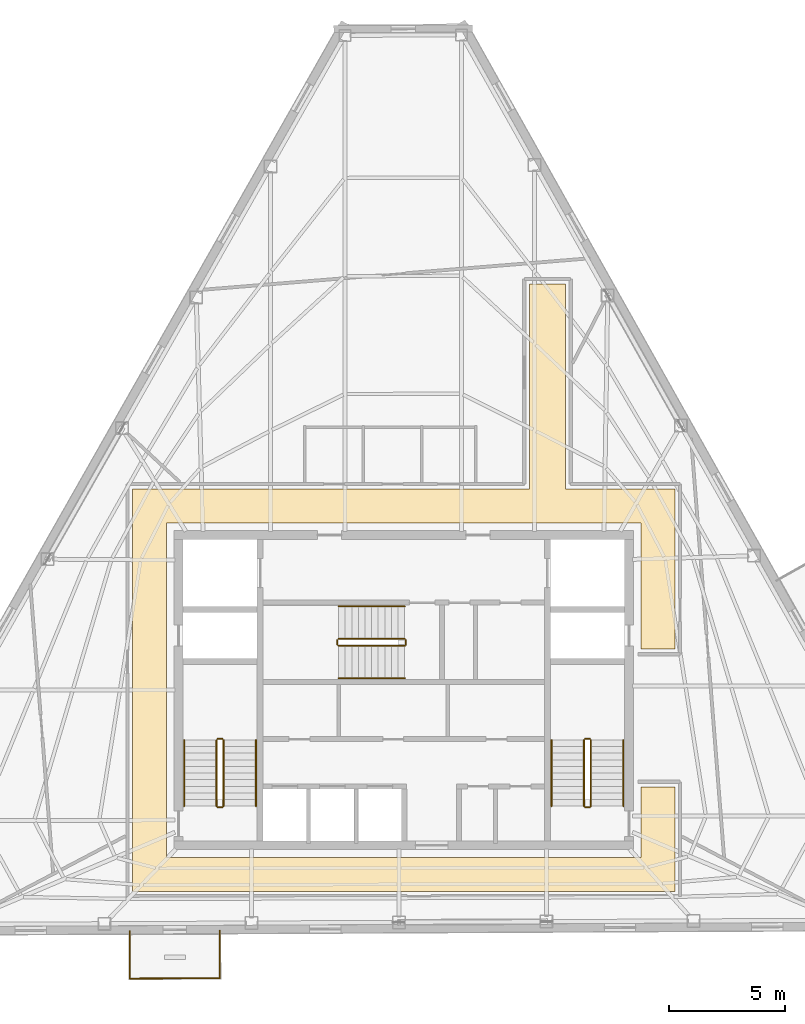
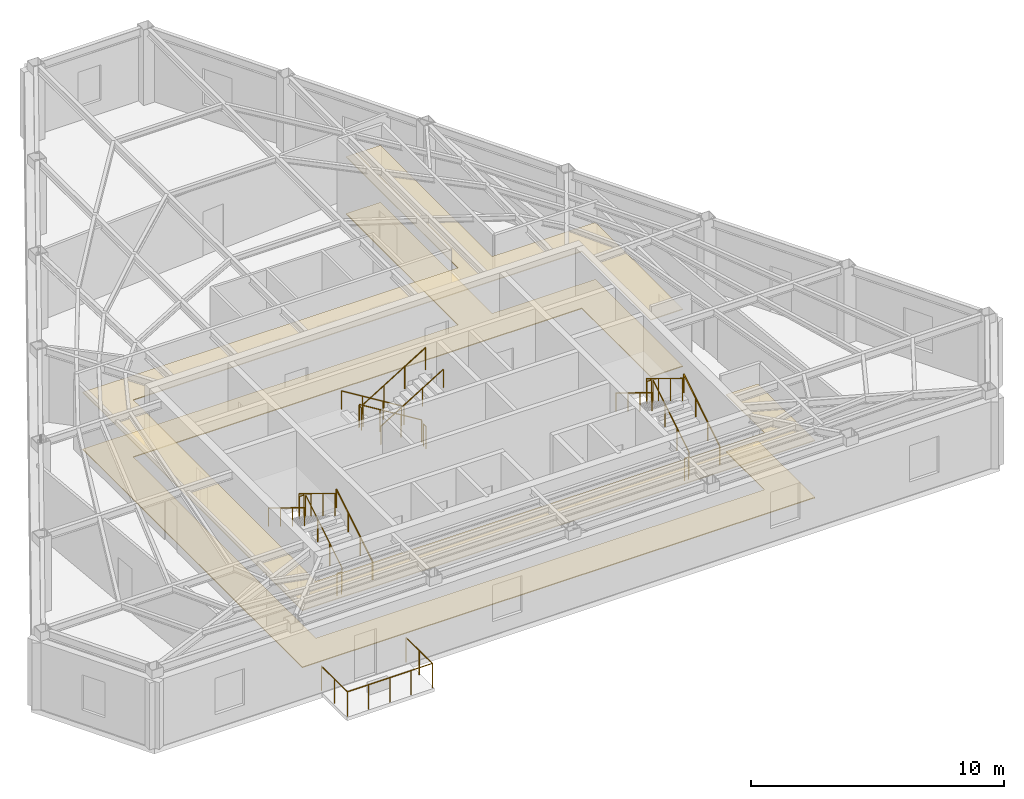
# One storey, part 8 of 9: 21 railings, 2 coverings.
"""IFC4 building model written with IfcOpenShell, lengths in metres."""

from ifc_helpers import new_model, si_unit, direction, frame, origin, origin_2d, place, context, subcontext, project, spatial, polyline, circle, outline, extrude, material, layer, layer_set, type_object, element, save


model = new_model("IFC4")

# Units and contexts
model_context = context("Model", 3, precision=1e-05, world=origin(), true_north=direction((0.0, 1.0)))
body_context = subcontext(model_context, "Body", "Model", "MODEL_VIEW")
ifc_project = project(units=[si_unit("LENGTHUNIT", "METRE"), si_unit("AREAUNIT", "SQUARE_METRE"), si_unit("VOLUMEUNIT", "CUBIC_METRE"), si_unit("PLANEANGLEUNIT", "RADIAN"), si_unit("MASSUNIT", "GRAM", prefix="KILO")], contexts=[model_context])

# Site, building, storey
site_placement = place(None, origin())
site = spatial("IfcSite", under=ifc_project, at=site_placement, CompositionType="ELEMENT")
building_placement = place(site_placement, origin())
building = spatial("IfcBuilding", under=site, at=building_placement, Name="Kavelnor Concourse Tower", CompositionType="ELEMENT")
storey_placement = place(building_placement, frame((0.0, 0.0, 301.10009765625)))
storey = spatial("IfcBuildingStorey", under=building, at=storey_placement, Name="L76", CompositionType="ELEMENT", Elevation=301.10009765625)

# Coverings
ifc_material_1 = material(Name="Mineral fibre acoustic ceiling tile")
ifc_layer_1 = layer(ifc_material_1, 0.0400390625, Name="Mineral fibre acoustic ceiling tile")
ifc_layer_set_1 = layer_set([ifc_layer_1], Name="Mineral fibre acoustic ceiling tile")
covering_type_1 = type_object("IfcCoveringType", Name="COV-CEILING-ACOUSTIC", PredefinedType="CEILING", material=ifc_layer_set_1)
covering_1_placement = place(storey_placement, frame((0.0, 0.0, 2.75)))
element("IfcCovering", 1, at=covering_1_placement, inside=storey, type_object=covering_type_1, Name="L76 Suspended Acoustic Ceiling", PredefinedType="CEILING", context=body_context, shape_type="SweptSolid", body=[
    extrude(outline(polyline([(44.97998046875, 24.77001953125), (49.68994140625, 24.77001953125), (49.68994140625, 17.8701171875), (48.22998046875, 17.8701171875), (48.22998046875, 23.31005859375), (27.77001953125, 23.31005859375), (27.77001953125, 8.889892578125), (48.22998046875, 8.889892578125), (48.22998046875, 11.929931640625), (49.68994140625, 11.929931640625), (49.68994140625, 7.429931640625), (26.31005859375, 7.429931640625), (26.31005859375, 24.77001953125), (43.419921875, 24.77001953125), (43.419921875, 33.6064453125), (44.97998046875, 33.6064453125), (44.97998046875, 24.77001953125)])), origin(), (0.0, 0.0, 1.0), 0.039794921875),
])
ifc_material_2 = material(Name="Honed bluestone and raised access floor finish", Category="masonry")
ifc_layer_2 = layer(ifc_material_2, 0.0400390625, Name="Honed bluestone and raised access floor finish")
ifc_layer_set_2 = layer_set([ifc_layer_2], Name="Honed bluestone and raised access floor finish")
covering_type_2 = type_object("IfcCoveringType", Name="COV-FLOOR-STONE", PredefinedType="FLOORING", material=ifc_layer_set_2)
covering_2_placement = place(storey_placement, frame((0.0, 0.0, 0.001953125)))
element("IfcCovering", 2, at=covering_2_placement, inside=storey, type_object=covering_type_2, Name="L76 Honed Bluestone Floor Finish", PredefinedType="FLOORING", context=body_context, shape_type="SweptSolid", body=[
    extrude(outline(polyline([(44.97998046875, 24.77001953125), (49.68994140625, 24.77001953125), (49.68994140625, 17.8701171875), (48.22998046875, 17.8701171875), (48.22998046875, 23.31005859375), (27.77001953125, 23.31005859375), (27.77001953125, 8.889892578125), (48.22998046875, 8.889892578125), (48.22998046875, 11.929931640625), (49.68994140625, 11.929931640625), (49.68994140625, 7.429931640625), (26.31005859375, 7.429931640625), (26.31005859375, 24.77001953125), (43.419921875, 24.77001953125), (43.419921875, 33.6064453125), (44.97998046875, 33.6064453125), (44.97998046875, 24.77001953125)])), origin(), (0.0, 0.0, 1.0), 0.0400390625),
])

# Railings
ifc_material_3 = material(Name="Steel Grade 350", Category="steel")
railing_type_1 = type_object("IfcRailingType", Name="RLG-GUARD-1100", PredefinedType="GUARDRAIL", material=ifc_material_3)
railing_1_placement = place(storey_placement, frame((30.22998046875, 11.10009765625, 0.1748046875)))
element("IfcRailing", 3, at=railing_1_placement, inside=storey, type_object=railing_type_1, Name="L76 ST1 stair guard 1", PredefinedType="GUARDRAIL", context=body_context, shape_type="SweptSolid", body=[
    extrude(circle(Radius=0.02392578125, at=origin_2d()), frame((0.0, 0.0, 1.076171875), z_axis=(0.0, 0.852159232446, 0.523282564737), x_axis=(-1.0, 0.0, 0.0)), (0.0, 0.0, 1.0), 3.34423828125),
    extrude(circle(Radius=0.02099609375, at=origin_2d()), origin(), (0.0, 0.0, 1.0), 1.052001953125),
    extrude(circle(Radius=0.02099609375, at=origin_2d()), frame((0.0, 0.949951171875, 0.583251953125)), (0.0, 0.0, 1.0), 1.052001953125),
    extrude(circle(Radius=0.02099609375, at=origin_2d()), frame((0.0, 1.89990234375, 1.166748046875)), (0.0, 0.0, 1.0), 1.052001953125),
    extrude(circle(Radius=0.02099609375, at=origin_2d()), frame((0.0, 2.849853515625, 1.75)), (0.0, 0.0, 1.0), 1.052001953125),
])
railing_2_placement = place(storey_placement, frame((30.179931640625, 14.0, 1.9248046875)))
element("IfcRailing", 4, at=railing_2_placement, inside=storey, type_object=railing_type_1, Name="L76 ST1 stair guard 2", PredefinedType="GUARDRAIL", context=body_context, shape_type="SweptSolid", body=[
    extrude(circle(Radius=0.02392578125, at=origin_2d()), frame((0.0, 0.0, 1.076171875), z_axis=(-1.0, 0.0, 0.0), x_axis=(0.0, -1.0, 0.0)), (0.0, 0.0, 1.0), 0.199951171875),
    extrude(circle(Radius=0.02099609375, at=origin_2d()), origin(), (0.0, 0.0, 1.0), 1.052001953125),
    extrude(circle(Radius=0.02099609375, at=origin_2d()), frame((-0.199951171875, 0.0, 0.0)), (0.0, 0.0, 1.0), 1.052001953125),
])
railing_3_placement = place(storey_placement, frame((29.929931640625, 13.949951171875, 2.099853515625)))
element("IfcRailing", 5, at=railing_3_placement, inside=storey, type_object=railing_type_1, Name="L76 ST1 stair guard 3", PredefinedType="GUARDRAIL", context=body_context, shape_type="SweptSolid", body=[
    extrude(circle(Radius=0.02392578125, at=origin_2d()), frame((0.0, 0.0, 1.076171875), z_axis=(0.0, -0.852159232446, 0.523282564737), x_axis=(1.0, 0.0, 0.0)), (0.0, 0.0, 1.0), 3.34423828125),
    extrude(circle(Radius=0.02099609375, at=origin_2d()), origin(), (0.0, 0.0, 1.0), 1.052001953125),
    extrude(circle(Radius=0.02099609375, at=origin_2d()), frame((0.0, -0.949951171875, 0.583251953125)), (0.0, 0.0, 1.0), 1.052001953125),
    extrude(circle(Radius=0.02099609375, at=origin_2d()), frame((0.0, -1.89990234375, 1.166748046875)), (0.0, 0.0, 1.0), 1.052001953125),
    extrude(circle(Radius=0.02099609375, at=origin_2d()), frame((0.0, -2.849853515625, 1.75)), (0.0, 0.0, 1.0), 1.052001953125),
])
railing_4_placement = place(storey_placement, frame((30.179931640625, 11.050048828125, 0.0)))
element("IfcRailing", 6, at=railing_4_placement, inside=storey, type_object=railing_type_1, Name="L76 ST1 stair guard 4", PredefinedType="GUARDRAIL", context=body_context, shape_type="SweptSolid", body=[
    extrude(circle(Radius=0.02392578125, at=origin_2d()), frame((0.0, 0.0, 1.076171875), z_axis=(-1.0, 0.0, 0.0), x_axis=(0.0, -1.0, 0.0)), (0.0, 0.0, 1.0), 0.199951171875),
    extrude(circle(Radius=0.02099609375, at=origin_2d()), origin(), (0.0, 0.0, 1.0), 1.052001953125),
    extrude(circle(Radius=0.02099609375, at=origin_2d()), frame((-0.199951171875, 0.0, 0.0)), (0.0, 0.0, 1.0), 1.052001953125),
])
railing_5_placement = place(storey_placement, frame((46.070068359375, 11.10009765625, 0.1748046875)))
element("IfcRailing", 7, at=railing_5_placement, inside=storey, type_object=railing_type_1, Name="L76 ST2 stair guard 1", PredefinedType="GUARDRAIL", context=body_context, shape_type="SweptSolid", body=[
    extrude(circle(Radius=0.02392578125, at=origin_2d()), frame((0.0, 0.0, 1.076171875), z_axis=(0.0, 0.852159232446, 0.523282564737), x_axis=(-1.0, 0.0, 0.0)), (0.0, 0.0, 1.0), 3.34423828125),
    extrude(circle(Radius=0.02099609375, at=origin_2d()), origin(), (0.0, 0.0, 1.0), 1.052001953125),
    extrude(circle(Radius=0.02099609375, at=origin_2d()), frame((0.0, 0.949951171875, 0.583251953125)), (0.0, 0.0, 1.0), 1.052001953125),
    extrude(circle(Radius=0.02099609375, at=origin_2d()), frame((0.0, 1.89990234375, 1.166748046875)), (0.0, 0.0, 1.0), 1.052001953125),
    extrude(circle(Radius=0.02099609375, at=origin_2d()), frame((0.0, 2.849853515625, 1.75)), (0.0, 0.0, 1.0), 1.052001953125),
])
railing_6_placement = place(storey_placement, frame((46.02001953125, 14.0, 1.9248046875)))
element("IfcRailing", 8, at=railing_6_placement, inside=storey, type_object=railing_type_1, Name="L76 ST2 stair guard 2", PredefinedType="GUARDRAIL", context=body_context, shape_type="SweptSolid", body=[
    extrude(circle(Radius=0.02392578125, at=origin_2d()), frame((0.0, 0.0, 1.076171875), z_axis=(-1.0, 0.0, 0.0), x_axis=(0.0, -1.0, 0.0)), (0.0, 0.0, 1.0), 0.199951171875),
    extrude(circle(Radius=0.02099609375, at=origin_2d()), origin(), (0.0, 0.0, 1.0), 1.052001953125),
    extrude(circle(Radius=0.02099609375, at=origin_2d()), frame((-0.199951171875, 0.0, 0.0)), (0.0, 0.0, 1.0), 1.052001953125),
])
railing_7_placement = place(storey_placement, frame((45.77001953125, 13.949951171875, 2.099853515625)))
element("IfcRailing", 9, at=railing_7_placement, inside=storey, type_object=railing_type_1, Name="L76 ST2 stair guard 3", PredefinedType="GUARDRAIL", context=body_context, shape_type="SweptSolid", body=[
    extrude(circle(Radius=0.02392578125, at=origin_2d()), frame((0.0, 0.0, 1.076171875), z_axis=(0.0, -0.852159232446, 0.523282564737), x_axis=(1.0, 0.0, 0.0)), (0.0, 0.0, 1.0), 3.34423828125),
    extrude(circle(Radius=0.02099609375, at=origin_2d()), origin(), (0.0, 0.0, 1.0), 1.052001953125),
    extrude(circle(Radius=0.02099609375, at=origin_2d()), frame((0.0, -0.949951171875, 0.583251953125)), (0.0, 0.0, 1.0), 1.052001953125),
    extrude(circle(Radius=0.02099609375, at=origin_2d()), frame((0.0, -1.89990234375, 1.166748046875)), (0.0, 0.0, 1.0), 1.052001953125),
    extrude(circle(Radius=0.02099609375, at=origin_2d()), frame((0.0, -2.849853515625, 1.75)), (0.0, 0.0, 1.0), 1.052001953125),
])
railing_8_placement = place(storey_placement, frame((46.02001953125, 11.050048828125, 0.0)))
element("IfcRailing", 10, at=railing_8_placement, inside=storey, type_object=railing_type_1, Name="L76 ST2 stair guard 4", PredefinedType="GUARDRAIL", context=body_context, shape_type="SweptSolid", body=[
    extrude(circle(Radius=0.02392578125, at=origin_2d()), frame((0.0, 0.0, 1.076171875), z_axis=(-1.0, 0.0, 0.0), x_axis=(0.0, -1.0, 0.0)), (0.0, 0.0, 1.0), 0.199951171875),
    extrude(circle(Radius=0.02099609375, at=origin_2d()), origin(), (0.0, 0.0, 1.0), 1.052001953125),
    extrude(circle(Radius=0.02099609375, at=origin_2d()), frame((-0.199951171875, 0.0, 0.0)), (0.0, 0.0, 1.0), 1.052001953125),
])
railing_9_placement = place(storey_placement, frame((38.0400390625, 18.31005859375, 0.1748046875)))
element("IfcRailing", 11, at=railing_9_placement, inside=storey, type_object=railing_type_1, Name="L76 ST3 stair guard 1", PredefinedType="GUARDRAIL", context=body_context, shape_type="SweptSolid", body=[
    extrude(circle(Radius=0.02392578125, at=origin_2d()), frame((0.0, 0.0, 1.076171875), z_axis=(-0.852179220489, 0.0, 0.52325001306), x_axis=(0.0, -1.0, 0.0)), (0.0, 0.0, 1.0), 3.344482421875),
    extrude(circle(Radius=0.02099609375, at=origin_2d()), origin(), (0.0, 0.0, 1.0), 1.052001953125),
    extrude(circle(Radius=0.02099609375, at=origin_2d()), frame((-0.949951171875, 0.0, 0.583251953125)), (0.0, 0.0, 1.0), 1.052001953125),
    extrude(circle(Radius=0.02099609375, at=origin_2d()), frame((-1.900146484375, 0.0, 1.166748046875)), (0.0, 0.0, 1.0), 1.052001953125),
    extrude(circle(Radius=0.02099609375, at=origin_2d()), frame((-2.85009765625, 0.0, 1.75)), (0.0, 0.0, 1.0), 1.052001953125),
])
railing_10_placement = place(storey_placement, frame((35.139892578125, 18.260009765625, 1.9248046875)))
element("IfcRailing", 12, at=railing_10_placement, inside=storey, type_object=railing_type_1, Name="L76 ST3 stair guard 2", PredefinedType="GUARDRAIL", context=body_context, shape_type="SweptSolid", body=[
    extrude(circle(Radius=0.02392578125, at=origin_2d()), frame((0.0, 0.0, 1.076171875), z_axis=(0.0, -1.0, 0.0), x_axis=(1.0, 0.0, 0.0)), (0.0, 0.0, 1.0), 0.199951171875),
    extrude(circle(Radius=0.02099609375, at=origin_2d()), origin(), (0.0, 0.0, 1.0), 1.052001953125),
    extrude(circle(Radius=0.02099609375, at=origin_2d()), frame((0.0, -0.199951171875, 0.0)), (0.0, 0.0, 1.0), 1.052001953125),
])
railing_11_placement = place(storey_placement, frame((35.18994140625, 18.010009765625, 2.099853515625)))
element("IfcRailing", 13, at=railing_11_placement, inside=storey, type_object=railing_type_1, Name="L76 ST3 stair guard 3", PredefinedType="GUARDRAIL", context=body_context, shape_type="SweptSolid", body=[
    extrude(circle(Radius=0.02392578125, at=origin_2d()), frame((0.0, 0.0, 1.076171875), z_axis=(0.852179220489, 0.0, 0.52325001306), x_axis=(0.0, 1.0, 0.0)), (0.0, 0.0, 1.0), 3.344482421875),
    extrude(circle(Radius=0.02099609375, at=origin_2d()), origin(), (0.0, 0.0, 1.0), 1.052001953125),
    extrude(circle(Radius=0.02099609375, at=origin_2d()), frame((0.949951171875, 0.0, 0.583251953125)), (0.0, 0.0, 1.0), 1.052001953125),
    extrude(circle(Radius=0.02099609375, at=origin_2d()), frame((1.900146484375, 0.0, 1.166748046875)), (0.0, 0.0, 1.0), 1.052001953125),
    extrude(circle(Radius=0.02099609375, at=origin_2d()), frame((2.85009765625, 0.0, 1.75)), (0.0, 0.0, 1.0), 1.052001953125),
])
railing_12_placement = place(storey_placement, frame((38.090087890625, 18.260009765625, 0.0)))
element("IfcRailing", 14, at=railing_12_placement, inside=storey, type_object=railing_type_1, Name="L76 ST3 stair guard 4", PredefinedType="GUARDRAIL", context=body_context, shape_type="SweptSolid", body=[
    extrude(circle(Radius=0.02392578125, at=origin_2d()), frame((0.0, 0.0, 1.076171875), z_axis=(0.0, -1.0, 0.0), x_axis=(1.0, 0.0, 0.0)), (0.0, 0.0, 1.0), 0.199951171875),
    extrude(circle(Radius=0.02099609375, at=origin_2d()), origin(), (0.0, 0.0, 1.0), 1.052001953125),
    extrude(circle(Radius=0.02099609375, at=origin_2d()), frame((0.0, -0.199951171875, 0.0)), (0.0, 0.0, 1.0), 1.052001953125),
])
railing_type_2 = type_object("IfcRailingType", Name="RLG-HANDRAIL-900", PredefinedType="HANDRAIL", material=ifc_material_3)
railing_13_placement = place(storey_placement, frame((31.6298828125, 11.10009765625, 0.1748046875)))
element("IfcRailing", 15, at=railing_13_placement, inside=storey, type_object=railing_type_2, Name="L76 ST1 stair handrail 1", PredefinedType="HANDRAIL", context=body_context, shape_type="SweptSolid", body=[
    extrude(circle(Radius=0.02392578125, at=origin_2d()), frame((0.0, 0.0, 0.8759765625), z_axis=(0.0, 0.852159232446, 0.523282564737), x_axis=(-1.0, 0.0, 0.0)), (0.0, 0.0, 1.0), 3.34423828125),
    extrude(circle(Radius=0.02099609375, at=origin_2d()), origin(), (0.0, 0.0, 1.0), 0.851806640625),
    extrude(circle(Radius=0.02099609375, at=origin_2d()), frame((0.0, 0.949951171875, 0.583251953125)), (0.0, 0.0, 1.0), 0.851806640625),
    extrude(circle(Radius=0.02099609375, at=origin_2d()), frame((0.0, 1.89990234375, 1.166748046875)), (0.0, 0.0, 1.0), 0.851806640625),
    extrude(circle(Radius=0.02099609375, at=origin_2d()), frame((0.0, 2.849853515625, 1.75)), (0.0, 0.0, 1.0), 0.851806640625),
])
railing_14_placement = place(storey_placement, frame((28.530029296875, 13.949951171875, 2.099853515625)))
element("IfcRailing", 16, at=railing_14_placement, inside=storey, type_object=railing_type_2, Name="L76 ST1 stair handrail 2", PredefinedType="HANDRAIL", context=body_context, shape_type="SweptSolid", body=[
    extrude(circle(Radius=0.02392578125, at=origin_2d()), frame((0.0, 0.0, 0.8759765625), z_axis=(0.0, -0.852159232446, 0.523282564737), x_axis=(1.0, 0.0, 0.0)), (0.0, 0.0, 1.0), 3.34423828125),
    extrude(circle(Radius=0.02099609375, at=origin_2d()), origin(), (0.0, 0.0, 1.0), 0.851806640625),
    extrude(circle(Radius=0.02099609375, at=origin_2d()), frame((0.0, -0.949951171875, 0.583251953125)), (0.0, 0.0, 1.0), 0.851806640625),
    extrude(circle(Radius=0.02099609375, at=origin_2d()), frame((0.0, -1.89990234375, 1.166748046875)), (0.0, 0.0, 1.0), 0.851806640625),
    extrude(circle(Radius=0.02099609375, at=origin_2d()), frame((0.0, -2.849853515625, 1.75)), (0.0, 0.0, 1.0), 0.851806640625),
])
railing_15_placement = place(storey_placement, frame((47.469970703125, 11.10009765625, 0.1748046875)))
element("IfcRailing", 17, at=railing_15_placement, inside=storey, type_object=railing_type_2, Name="L76 ST2 stair handrail 1", PredefinedType="HANDRAIL", context=body_context, shape_type="SweptSolid", body=[
    extrude(circle(Radius=0.02392578125, at=origin_2d()), frame((0.0, 0.0, 0.8759765625), z_axis=(0.0, 0.852159232446, 0.523282564737), x_axis=(-1.0, 0.0, 0.0)), (0.0, 0.0, 1.0), 3.34423828125),
    extrude(circle(Radius=0.02099609375, at=origin_2d()), origin(), (0.0, 0.0, 1.0), 0.851806640625),
    extrude(circle(Radius=0.02099609375, at=origin_2d()), frame((0.0, 0.949951171875, 0.583251953125)), (0.0, 0.0, 1.0), 0.851806640625),
    extrude(circle(Radius=0.02099609375, at=origin_2d()), frame((0.0, 1.89990234375, 1.166748046875)), (0.0, 0.0, 1.0), 0.851806640625),
    extrude(circle(Radius=0.02099609375, at=origin_2d()), frame((0.0, 2.849853515625, 1.75)), (0.0, 0.0, 1.0), 0.851806640625),
])
railing_16_placement = place(storey_placement, frame((44.3701171875, 13.949951171875, 2.099853515625)))
element("IfcRailing", 18, at=railing_16_placement, inside=storey, type_object=railing_type_2, Name="L76 ST2 stair handrail 2", PredefinedType="HANDRAIL", context=body_context, shape_type="SweptSolid", body=[
    extrude(circle(Radius=0.02392578125, at=origin_2d()), frame((0.0, 0.0, 0.8759765625), z_axis=(0.0, -0.852159232446, 0.523282564737), x_axis=(1.0, 0.0, 0.0)), (0.0, 0.0, 1.0), 3.34423828125),
    extrude(circle(Radius=0.02099609375, at=origin_2d()), origin(), (0.0, 0.0, 1.0), 0.851806640625),
    extrude(circle(Radius=0.02099609375, at=origin_2d()), frame((0.0, -0.949951171875, 0.583251953125)), (0.0, 0.0, 1.0), 0.851806640625),
    extrude(circle(Radius=0.02099609375, at=origin_2d()), frame((0.0, -1.89990234375, 1.166748046875)), (0.0, 0.0, 1.0), 0.851806640625),
    extrude(circle(Radius=0.02099609375, at=origin_2d()), frame((0.0, -2.849853515625, 1.75)), (0.0, 0.0, 1.0), 0.851806640625),
])
railing_17_placement = place(storey_placement, frame((38.0400390625, 19.7099609375, 0.1748046875)))
element("IfcRailing", 19, at=railing_17_placement, inside=storey, type_object=railing_type_2, Name="L76 ST3 stair handrail 1", PredefinedType="HANDRAIL", context=body_context, shape_type="SweptSolid", body=[
    extrude(circle(Radius=0.02392578125, at=origin_2d()), frame((0.0, 0.0, 0.8759765625), z_axis=(-0.852179220489, 0.0, 0.52325001306), x_axis=(0.0, -1.0, 0.0)), (0.0, 0.0, 1.0), 3.344482421875),
    extrude(circle(Radius=0.02099609375, at=origin_2d()), origin(), (0.0, 0.0, 1.0), 0.851806640625),
    extrude(circle(Radius=0.02099609375, at=origin_2d()), frame((-0.949951171875, 0.0, 0.583251953125)), (0.0, 0.0, 1.0), 0.851806640625),
    extrude(circle(Radius=0.02099609375, at=origin_2d()), frame((-1.900146484375, 0.0, 1.166748046875)), (0.0, 0.0, 1.0), 0.851806640625),
    extrude(circle(Radius=0.02099609375, at=origin_2d()), frame((-2.85009765625, 0.0, 1.75)), (0.0, 0.0, 1.0), 0.851806640625),
])
railing_18_placement = place(storey_placement, frame((35.18994140625, 16.610107421875, 2.099853515625)))
element("IfcRailing", 20, at=railing_18_placement, inside=storey, type_object=railing_type_2, Name="L76 ST3 stair handrail 2", PredefinedType="HANDRAIL", context=body_context, shape_type="SweptSolid", body=[
    extrude(circle(Radius=0.02392578125, at=origin_2d()), frame((0.0, 0.0, 0.8759765625), z_axis=(0.852179220489, 0.0, 0.52325001306), x_axis=(0.0, 1.0, 0.0)), (0.0, 0.0, 1.0), 3.344482421875),
    extrude(circle(Radius=0.02099609375, at=origin_2d()), origin(), (0.0, 0.0, 1.0), 0.851806640625),
    extrude(circle(Radius=0.02099609375, at=origin_2d()), frame((0.949951171875, 0.0, 0.583251953125)), (0.0, 0.0, 1.0), 0.851806640625),
    extrude(circle(Radius=0.02099609375, at=origin_2d()), frame((1.900146484375, 0.0, 1.166748046875)), (0.0, 0.0, 1.0), 0.851806640625),
    extrude(circle(Radius=0.02099609375, at=origin_2d()), frame((2.85009765625, 0.0, 1.75)), (0.0, 0.0, 1.0), 0.851806640625),
])
ifc_material_4 = material(Name="Architectural bronze-anodised aluminium", Category="aluminium")
railing_type_3 = type_object("IfcRailingType", Name="RLG-TERRACE-1200", PredefinedType="BALUSTRADE", material=ifc_material_4)
railing_19_placement = place(storey_placement, frame((26.18603515625, 5.714111328125, 0.0)))
element("IfcRailing", 21, at=railing_19_placement, inside=storey, type_object=railing_type_3, Name="L76 Tree Balcony 1 Guardrail L", PredefinedType="BALUSTRADE", context=body_context, shape_type="SweptSolid", body=[
    extrude(circle(Radius=0.02392578125, at=origin_2d()), frame((0.0, 0.0, 1.17578125), z_axis=(0.00476411935, -0.999988651519, 0.0), x_axis=(0.999988651519, 0.00476411935, 0.0)), (0.0, 0.0, 1.0), 2.0498046875),
    extrude(circle(Radius=0.02099609375, at=origin_2d()), origin(), (0.0, 0.0, 1.0), 1.15185546875),
    extrude(circle(Radius=0.02099609375, at=origin_2d()), frame((0.0048828125, -1.02490234375, 0.0)), (0.0, 0.0, 1.0), 1.15185546875),
    extrude(circle(Radius=0.02099609375, at=origin_2d()), frame((0.009765625, -2.0498046875, 0.0)), (0.0, 0.0, 1.0), 1.15185546875),
])
railing_20_placement = place(storey_placement, frame((26.19580078125, 3.664306640625, 0.0)))
element("IfcRailing", 22, at=railing_20_placement, inside=storey, type_object=railing_type_3, Name="L76 Tree Balcony 1 Guardrail F", PredefinedType="BALUSTRADE", context=body_context, shape_type="SweptSolid", body=[
    extrude(circle(Radius=0.02392578125, at=origin_2d()), frame((0.0, 0.0, 1.17578125), z_axis=(0.999988865428, 0.00471900616, 0.0), x_axis=(-0.00471900616, 0.999988865428, 0.0)), (0.0, 0.0, 1.0), 3.880126953125),
    extrude(circle(Radius=0.02099609375, at=origin_2d()), origin(), (0.0, 0.0, 1.0), 1.15185546875),
    extrude(circle(Radius=0.02099609375, at=origin_2d()), frame((0.969970703125, 0.004638671875, 0.0)), (0.0, 0.0, 1.0), 1.15185546875),
    extrude(circle(Radius=0.02099609375, at=origin_2d()), frame((1.93994140625, 0.00927734375, 0.0)), (0.0, 0.0, 1.0), 1.15185546875),
    extrude(circle(Radius=0.02099609375, at=origin_2d()), frame((2.91015625, 0.013671875, 0.0)), (0.0, 0.0, 1.0), 1.15185546875),
    extrude(circle(Radius=0.02099609375, at=origin_2d()), frame((3.880126953125, 0.018310546875, 0.0)), (0.0, 0.0, 1.0), 1.15185546875),
])
railing_21_placement = place(storey_placement, frame((30.075927734375, 3.6826171875, 0.0)))
element("IfcRailing", 23, at=railing_21_placement, inside=storey, type_object=railing_type_3, Name="L76 Tree Balcony 1 Guardrail R", PredefinedType="BALUSTRADE", context=body_context, shape_type="SweptSolid", body=[
    extrude(circle(Radius=0.02392578125, at=origin_2d()), frame((0.0, 0.0, 1.17578125), z_axis=(-0.004763552003, 0.999988654222, 0.0), x_axis=(-0.999988654222, -0.004763552003, 0.0)), (0.0, 0.0, 1.0), 2.050048828125),
    extrude(circle(Radius=0.02099609375, at=origin_2d()), origin(), (0.0, 0.0, 1.0), 1.15185546875),
    extrude(circle(Radius=0.02099609375, at=origin_2d()), frame((-0.0048828125, 1.02490234375, 0.0)), (0.0, 0.0, 1.0), 1.15185546875),
    extrude(circle(Radius=0.02099609375, at=origin_2d()), frame((-0.009765625, 2.050048828125, 0.0)), (0.0, 0.0, 1.0), 1.15185546875),
])

save(model, "model.ifc")
